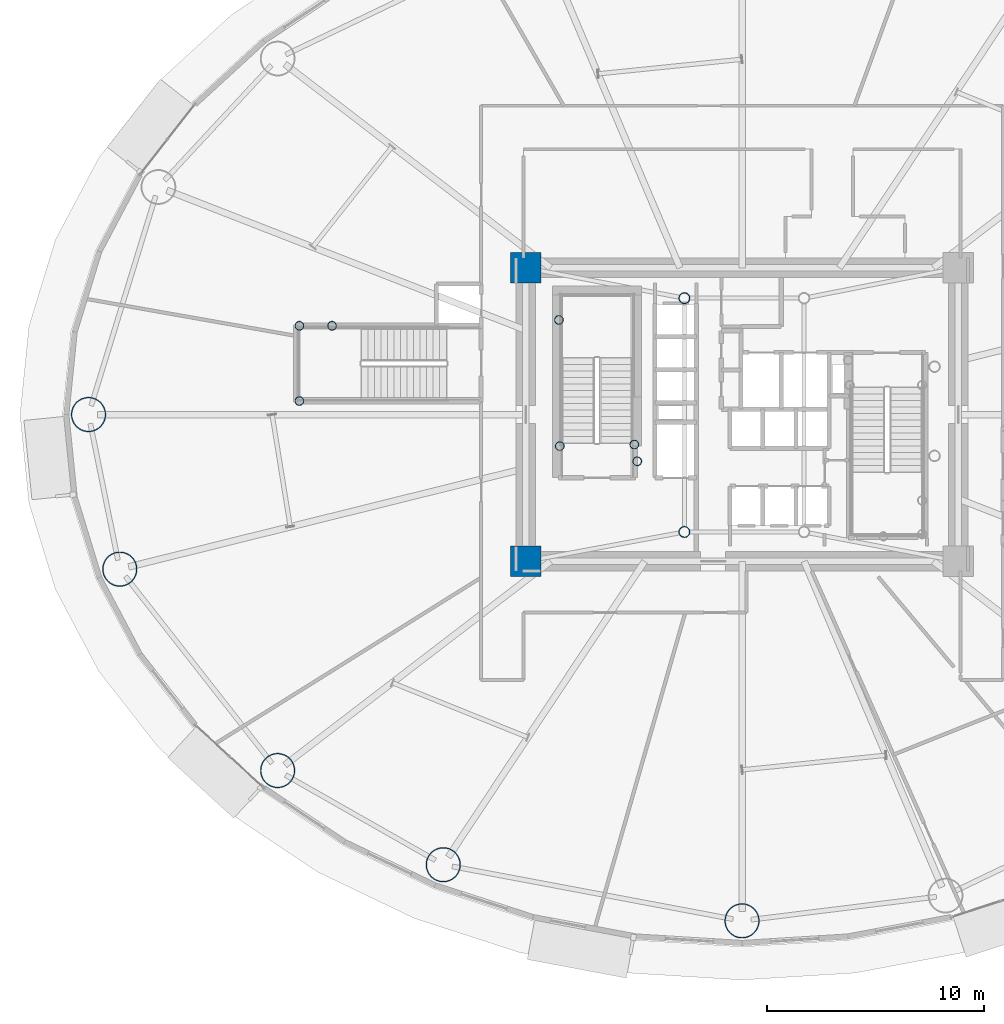
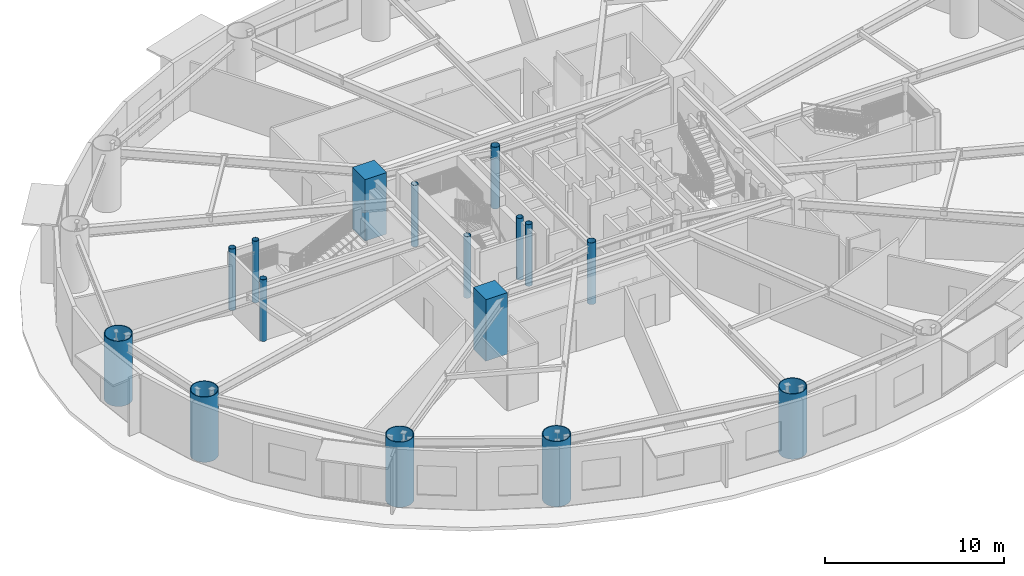
# One storey, part 1 of 35: 16 columns.
"""IFC4 building model written with IfcOpenShell, lengths in metres."""

import ifcopenshell
import ifcopenshell.guid

model = None  # the IFC model being written
_history = None  # IfcOwnerHistory: only IFC2X3 demands one
_inside = {}  # id of a spatial element -> (the spatial element, [elements in it])
_under = {}  # id of a project, library or spatial element -> (it, [spatial elements below it])
_declared = {}  # id of a project -> (the project, [libraries it declares])
_typed = {}  # id of a type object -> (the type object, [elements of that type])
_made_of = {}  # id of a material, layer set ... -> (it, [elements and type objects made of it])


def new_model(schema):
    """Start an empty IFC model of exactly this schema.

    Asked for "IFC4X3", IfcOpenShell would pick the latest addendum, in which some entities
    have other attributes; the version numbers below select the first issue.
    IFC2X3 requires an IfcOwnerHistory on every rooted entity: one is made here for all.
    """
    global model, _history
    if schema == "IFC4X3":
        model = ifcopenshell.file(schema_version=(4, 3, 0, 0))
    else:
        model = ifcopenshell.file(schema=schema)
    _inside.clear()
    _under.clear()
    _declared.clear()
    _typed.clear()
    _made_of.clear()
    _history = None
    if model.schema == "IFC2X3":
        org = make("IfcOrganization", Name="unknown")
        user = make(
            "IfcPersonAndOrganization",
            ThePerson=make("IfcPerson", FamilyName="unknown"),
            TheOrganization=org,
        )
        app = make(
            "IfcApplication",
            ApplicationDeveloper=org,
            Version="unknown",
            ApplicationFullName="unknown",
            ApplicationIdentifier="unknown",
        )
        _history = make(
            "IfcOwnerHistory",
            OwningUser=user,
            OwningApplication=app,
            ChangeAction="ADDED",
            CreationDate=0,
        )
    return model


def make(cls, **values):
    """One entity of the class cls with the attributes given. An attribute that is None is left unset."""
    return model.create_entity(
        cls, **{name: value for name, value in values.items() if value is not None}
    )


def rooted(cls, **values):
    """An entity with a GlobalId (a new one), such as an element, a storey or a relation."""
    return make(cls, GlobalId=ifcopenshell.guid.new(), OwnerHistory=_history, **values)


def si_unit(unit_type, name, prefix=None):
    """IfcSIUnit, for example si_unit("LENGTHUNIT", "METRE", prefix="MILLI")."""
    return make("IfcSIUnit", UnitType=unit_type, Prefix=prefix, Name=name)


def assignment(units):
    """IfcUnitAssignment: the units of a project."""
    return None if units is None else make("IfcUnitAssignment", Units=units)


def point(xyz):
    """IfcCartesianPoint."""
    return None if xyz is None else make("IfcCartesianPoint", Coordinates=xyz)


def direction(xyz):
    """IfcDirection."""
    return None if xyz is None else make("IfcDirection", DirectionRatios=xyz)


def frame(location, z_axis=None, x_axis=None):
    """IfcAxis2Placement3D, a coordinate frame: its origin and axes. An axis left out is left unset."""
    return make(
        "IfcAxis2Placement3D",
        Location=point(location),
        Axis=direction(z_axis),
        RefDirection=direction(x_axis),
    )


def frame_2d(location, x_axis=None):
    """IfcAxis2Placement2D, a coordinate frame in the plane: its origin and x axis."""
    return make(
        "IfcAxis2Placement2D", Location=point(location), RefDirection=direction(x_axis)
    )


def origin():
    """The frame at (0, 0, 0) with its axes left unset."""
    return frame((0.0, 0.0, 0.0))


def origin_2d():
    """The frame at (0, 0) in the plane with its x axis left unset."""
    return frame_2d((0.0, 0.0))


def place(relative_to, where):
    """IfcLocalPlacement: puts the frame where relative to a parent placement (None: the world)."""
    return make(
        "IfcLocalPlacement", PlacementRelTo=relative_to, RelativePlacement=where
    )


def context(
    kind, dimensions, precision=None, world=None, true_north=None, identifier=None
):
    """IfcGeometricRepresentationContext, for example the 3D "Model" context."""
    return make(
        "IfcGeometricRepresentationContext",
        ContextIdentifier=identifier,
        ContextType=kind,
        CoordinateSpaceDimension=dimensions,
        Precision=precision,
        WorldCoordinateSystem=world,
        TrueNorth=true_north,
    )


def subcontext(parent, identifier, kind, view, scale=None):
    """IfcGeometricRepresentationSubContext, for example "Body" below "Model"."""
    return make(
        "IfcGeometricRepresentationSubContext",
        ContextIdentifier=identifier,
        ContextType=kind,
        ParentContext=parent,
        TargetScale=scale,
        TargetView=view,
    )


def project(units=None, contexts=None):
    """IfcProject with its units and contexts."""
    return rooted(
        "IfcProject",
        Name="project",
        RepresentationContexts=contexts,
        UnitsInContext=assignment(units),
    )


def spatial(cls, under=None, at=None, **own):
    """A site, building, storey or space (cls), placed at a placement, below another one or the project."""
    s = rooted(cls, ObjectPlacement=at, **own)
    if under is not None:
        _under.setdefault(under.id(), (under, []))[1].append(s)
    return s


def profile(cls, at=None, kind="AREA", **sizes):
    """A parametric profile (cls). Its sizes go by their IFC names, for example OverallWidth=200.0."""
    return make(cls, ProfileType=kind, Position=at, **sizes)


def rectangle(**sizes):
    """IfcRectangleProfileDef."""
    return profile("IfcRectangleProfileDef", **sizes)


def hollow_circle(**sizes):
    """IfcCircleHollowProfileDef."""
    return profile("IfcCircleHollowProfileDef", **sizes)


def extrude(swept, where, along, depth):
    """IfcExtrudedAreaSolid: the profile swept, set in the frame where, extruded along a direction by depth."""
    return make(
        "IfcExtrudedAreaSolid",
        SweptArea=swept,
        Position=where,
        ExtrudedDirection=direction(along),
        Depth=depth,
    )


def shape(context_of_items, identifier, shape_type, items):
    """IfcShapeRepresentation: the items that make up one representation, for example the "Body"."""
    return make(
        "IfcShapeRepresentation",
        ContextOfItems=context_of_items,
        RepresentationIdentifier=identifier,
        RepresentationType=shape_type,
        Items=items,
    )


def material(Name=None, Category=None):
    """IfcMaterial."""
    return make("IfcMaterial", Name=Name, Category=Category)


def material_profile(
    of_material, cross_section, Name=None, Category=None, Priority=None
):
    """IfcMaterialProfile: a cross section and its material."""
    return make(
        "IfcMaterialProfile",
        Name=Name,
        Material=of_material,
        Profile=cross_section,
        Priority=Priority,
        Category=Category,
    )


def profile_set(profiles, Name=None, composite=None):
    """IfcMaterialProfileSet."""
    return make(
        "IfcMaterialProfileSet",
        Name=Name,
        MaterialProfiles=profiles,
        CompositeProfile=composite,
    )


def made_of(thing, what):
    """Note that an element or type object is made of a material, layer set ...; save() writes the relation."""
    if what is not None:
        _made_of.setdefault(what.id(), (what, []))[1].append(thing)
    return thing


def type_object(cls, material=None, **own):
    """A type object (cls), such as IfcWallType, which elements share."""
    return made_of(rooted(cls, **own), material)


def element(
    cls,
    number,
    at=None,
    inside=None,
    cuts=None,
    type_object=None,
    material=None,
    context=None,
    identifier="Body",
    shape_type=None,
    held_by="IfcProductDefinitionShape",
    body=None,
    shapes=None,
    **own,
):
    """One element of the class cls, such as IfcWall. Its Tag is "e" and its number.

    at: its placement. inside: the storey or other place that contains it. cuts: it is an
    opening in that element (IfcRelVoidsElement). A single representation is given by context,
    identifier, shape_type and body (its items); several are given by shapes. held_by: the class
    of the entity that holds the representations. save() writes the other relations.
    """
    e = rooted(cls, Tag="e%d" % number, ObjectPlacement=at, **own)
    if body is not None:
        shapes = [shape(context, identifier, shape_type, body)]
    if shapes is not None:
        e.Representation = make(held_by, Representations=shapes)
    if inside is not None:
        _inside.setdefault(inside.id(), (inside, []))[1].append(e)
    if cuts is not None:
        rooted(
            "IfcRelVoidsElement", RelatingBuildingElement=cuts, RelatedOpeningElement=e
        )
    if type_object is not None:
        _typed.setdefault(type_object.id(), (type_object, []))[1].append(e)
    return made_of(e, material)


def aggregate(whole, parts):
    """IfcRelAggregates: a whole, such as a stair, and the parts it consists of."""
    return rooted("IfcRelAggregates", RelatingObject=whole, RelatedObjects=parts)


def save(model, path):
    """Write the relations noted so far, then the file.

    IfcRelAggregates (storeys below a building ...), IfcRelContainedInSpatialStructure (elements
    in a storey), IfcRelDefinesByType, IfcRelAssociatesMaterial and IfcRelDeclares: one each for
    every whole, place, type object, material and project.
    """
    for whole, parts in _under.values():
        aggregate(whole, parts)
    for where, things in _inside.values():
        rooted(
            "IfcRelContainedInSpatialStructure",
            RelatedElements=things,
            RelatingStructure=where,
        )
    for kind, things in _typed.values():
        rooted("IfcRelDefinesByType", RelatedObjects=things, RelatingType=kind)
    for what, things in _made_of.values():
        rooted("IfcRelAssociatesMaterial", RelatedObjects=things, RelatingMaterial=what)
    for by, libraries in _declared.values():
        rooted("IfcRelDeclares", RelatingContext=by, RelatedDefinitions=libraries)
    model.write(path)


model = new_model("IFC4")

# Units and contexts
model_context = context("Model", 3, precision=1e-05, world=origin(), true_north=direction((0.0, 1.0)))
body_context = subcontext(model_context, "Body", "Model", "MODEL_VIEW")
ifc_project = project(units=[si_unit("LENGTHUNIT", "METRE"), si_unit("AREAUNIT", "SQUARE_METRE"), si_unit("VOLUMEUNIT", "CUBIC_METRE"), si_unit("PLANEANGLEUNIT", "RADIAN"), si_unit("MASSUNIT", "GRAM", prefix="KILO")], contexts=[model_context])

# Site, building, storey
site_placement = place(None, origin())
site = spatial("IfcSite", under=ifc_project, at=site_placement, CompositionType="ELEMENT")
building_placement = place(site_placement, origin())
building = spatial("IfcBuilding", under=site, at=building_placement, Name="Linh Dai School and Residence Tower", CompositionType="ELEMENT")
storey_placement = place(building_placement, frame((0.0, 0.0, 32.39990234375)))
storey = spatial("IfcBuildingStorey", under=building, at=storey_placement, Name="L07", CompositionType="ELEMENT", Elevation=32.39990234375)

# Columns
ifc_material_1 = material(Name="Concrete B60 (C50/60)", Category="concrete")
ifc_material_profile_1 = material_profile(ifc_material_1, rectangle(XDim=1.39990234375, YDim=1.39990234375, at=origin_2d()), Name="RC 1400x1400")
ifc_profile_set_1 = profile_set([ifc_material_profile_1], Name="Concrete B60 (C50/60)")
column_type_1 = type_object("IfcColumnType", Name="COL-CC1", PredefinedType="COLUMN", material=ifc_profile_set_1)
for number, where, z_axis, x_axis, name in (
    (1, (26.050048828125, 20.25, 0.0), (0.0, 0.0, 1.0), (1.0, 0.0, 0.0), "L07 Core Corner Pier CC1"),
    (2, (26.050048828125, 33.75, 0.0), (0.0, 0.0, 1.0), (1.0, 0.0, 0.0), "L07 Core Corner Pier CC4"),
):
    element("IfcColumn", number, at=place(storey_placement, frame(where, z_axis=z_axis, x_axis=x_axis)), inside=storey, type_object=column_type_1, Name=name, PredefinedType="COLUMN", context=body_context, shape_type="SweptSolid", body=[
        extrude(rectangle(XDim=1.39990234375, YDim=1.39990234375, at=origin_2d()), origin(), (0.0, 0.0, 1.0), 4.2001953125),
    ])
ifc_material_2 = material(Name="Structural Steel S355JR", Category="steel")
ifc_material_profile_2 = material_profile(ifc_material_2, hollow_circle(Radius=0.203125, WallThickness=0.01611328125, at=origin_2d()), Name="CHS 406.4x16")
ifc_profile_set_2 = profile_set([ifc_material_profile_2], Name="Structural Steel S355JR")
column_type_2 = type_object("IfcColumnType", Name="COL-EC", PredefinedType="COLUMN", material=ifc_profile_set_2)
for number, where, z_axis, x_axis, name in (
    (3, (27.580078125, 31.35009765625, 0.0), (0.0, 0.0, 1.0), (1.0, 0.0, 0.0), "L07 Stair Shaft Landing Support Pier ST1NW"),
    (4, (31.050048828125, 25.6201171875, 0.0), (0.0, 0.0, 1.0), (1.0, 0.0, 0.0), "L07 Stair Shaft Landing Support Pier ST1SE"),
    (5, (31.179931640625, 24.85009765625, 0.0), (0.0, 0.0, 1.0), (1.0, 0.0, 0.0), "L07 Stair Shaft Landing Support Pier ST1SM"),
    (6, (27.6201171875, 25.550048828125, 0.0), (0.0, 0.0, 1.0), (1.0, 0.0, 0.0), "L07 Stair Shaft Landing Support Pier ST1SW"),
    (7, (15.64990234375, 27.6201171875, 0.0), (0.0, 0.0, 1.0), (1.0, 0.0, 0.0), "L07 Stair Shaft Landing Support Pier STS1SW"),
    (8, (15.64990234375, 31.080078125, 0.0), (0.0, 0.0, 1.0), (1.0, 0.0, 0.0), "L07 Stair Shaft Landing Support Pier STS1NW"),
    (9, (17.14990234375, 31.080078125, 0.0), (0.0, 0.0, 1.0), (1.0, 0.0, 0.0), "L07 Stair Shaft Landing Support Pier STS1ME"),
):
    element("IfcColumn", number, at=place(storey_placement, frame(where, z_axis=z_axis, x_axis=x_axis)), inside=storey, type_object=column_type_2, Name=name, PredefinedType="COLUMN", context=body_context, shape_type="SweptSolid", body=[
        extrude(hollow_circle(Radius=0.203125, WallThickness=0.01611328125, at=origin_2d()), origin(), (0.0, 0.0, 1.0), 4.2001953125),
    ])
ifc_material_profile_3 = material_profile(ifc_material_2, hollow_circle(Radius=0.800048828125, WallThickness=0.044921875, at=origin_2d()), Name="CHS 1600x45")
ifc_profile_set_3 = profile_set([ifc_material_profile_3], Name="Structural Steel S355JR")
column_type_3 = type_object("IfcColumnType", Name="COL-MC2", PredefinedType="COLUMN", material=ifc_profile_set_3)
for number, where, z_axis, x_axis, name in (
    (10, (5.949951171875, 27.0, -0.25), (0.0, 0.0, 1.0), (1.0, 0.0, 0.0), "L07 Perimeter CFT Mega-Column MC09"),
    (11, (7.38916015625, 19.891357421875, -0.25), (0.0, 0.0, 1.0), (1.0, 0.0, 0.0), "L07 Perimeter CFT Mega-Column MC10"),
    (12, (14.647216796875, 10.630859375, -0.25), (0.0, 0.0, 1.0), (1.0, 0.0, 0.0), "L07 Perimeter CFT Mega-Column MC11"),
    (13, (22.26171875, 6.30078125, -0.25), (0.0, 0.0, 1.0), (1.0, 0.0, 0.0), "L07 Perimeter CFT Mega-Column MC12"),
    (14, (36.0, 3.719970703125, -0.25), (0.0, 0.0, 1.0), (1.0, 0.0, 0.0), "L07 Perimeter CFT Mega-Column MC13"),
):
    element("IfcColumn", number, at=place(storey_placement, frame(where, z_axis=z_axis, x_axis=x_axis)), inside=storey, type_object=column_type_3, Name=name, PredefinedType="COLUMN", context=body_context, shape_type="SweptSolid", body=[
        extrude(hollow_circle(Radius=0.800048828125, WallThickness=0.044921875, at=origin_2d()), origin(), (0.0, 0.0, 1.0), 4.4501953125),
    ])
ifc_material_profile_4 = material_profile(ifc_material_2, hollow_circle(Radius=0.25390625, WallThickness=0.02001953125, at=origin_2d()), Name="CHS 508x20")
ifc_profile_set_4 = profile_set([ifc_material_profile_4], Name="Structural Steel S355JR")
column_type_4 = type_object("IfcColumnType", Name="COL-MCP", PredefinedType="COLUMN", material=ifc_profile_set_4)
for number, where, z_axis, x_axis, name in (
    (15, (33.35009765625, 21.60009765625, 0.0), (0.0, 0.0, 1.0), (1.0, 0.0, 0.0), "L07 Core Mast Support Pier MCP1"),
    (16, (33.35009765625, 32.35009765625, 0.0), (0.0, 0.0, 1.0), (1.0, 0.0, 0.0), "L07 Core Mast Support Pier MCP4"),
):
    element("IfcColumn", number, at=place(storey_placement, frame(where, z_axis=z_axis, x_axis=x_axis)), inside=storey, type_object=column_type_4, Name=name, PredefinedType="COLUMN", context=body_context, shape_type="SweptSolid", body=[
        extrude(hollow_circle(Radius=0.25390625, WallThickness=0.02001953125, at=origin_2d()), origin(), (0.0, 0.0, 1.0), 4.2001953125),
    ])

save(model, "model.ifc")
